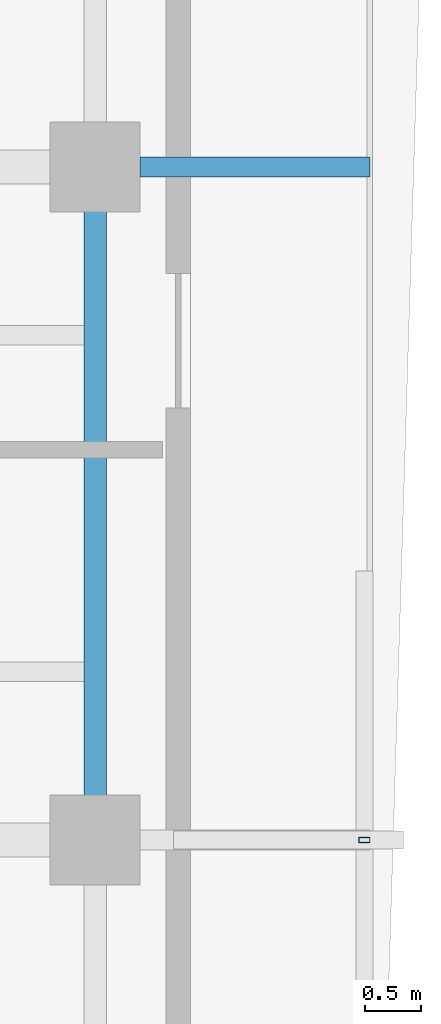
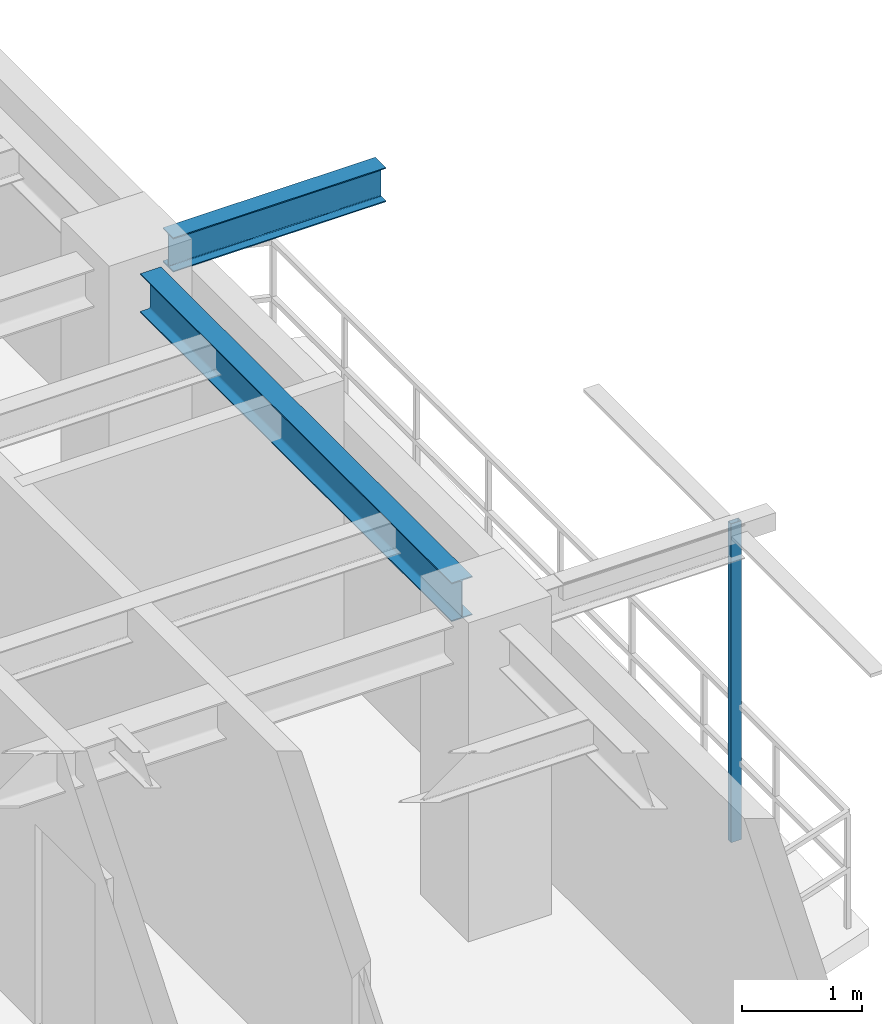
# One storey, part 7 of 16: 2 beams, 1 member.
"""IFC4 building model written with IfcOpenShell, lengths in metres."""

from ifc_helpers import new_model, si_unit, direction, frame, origin, origin_2d, place, context, subcontext, project, spatial, hollow_rectangle, i_section, extrude, source, transform, mapped, material, material_profile, profile_set, type_object, element, save


model = new_model("IFC4")

# Units and contexts
model_context = context("Model", 3, precision=1e-05, world=origin(), true_north=direction((0.0, 1.0)))
body_context = subcontext(model_context, "Body", "Model", "MODEL_VIEW")
ifc_project = project(units=[si_unit("LENGTHUNIT", "METRE"), si_unit("AREAUNIT", "SQUARE_METRE"), si_unit("VOLUMEUNIT", "CUBIC_METRE"), si_unit("PLANEANGLEUNIT", "RADIAN"), si_unit("MASSUNIT", "GRAM", prefix="KILO"), si_unit("THERMODYNAMICTEMPERATUREUNIT", "KELVIN"), si_unit("POWERUNIT", "WATT")], contexts=[model_context])

# Site, building, storey
site_placement = place(None, origin())
site = spatial("IfcSite", under=ifc_project, at=site_placement, CompositionType="ELEMENT")
building_placement = place(site_placement, origin())
building = spatial("IfcBuilding", under=site, at=building_placement, Name="Qiaomeng Ring Towers", CompositionType="ELEMENT")
storey_placement = place(building_placement, frame((0.0, 0.0, 197.0)))
storey = spatial("IfcBuildingStorey", under=building, at=storey_placement, Name="L57", CompositionType="ELEMENT", Elevation=197.0)

# Beams
ifc_material_1 = material(Name="Steel Q355B", Category="steel")
ifc_material_profile_1 = material_profile(ifc_material_1, i_section(OverallWidth=0.198974609375, OverallDepth=0.39599609375, WebThickness=0.007080078125, FlangeThickness=0.010986328125, FilletRadius=0.01611328125, at=origin_2d()), Name="HN 396x199x7x11")
ifc_profile_set_1 = profile_set([ifc_material_profile_1], Name="Steel Q355B")
beam_type_1 = type_object("IfcBeamType", Name="STR-BM-HN396", PredefinedType="SPANDREL", material=ifc_profile_set_1)
shared_shape_1 = source(origin(), body_context, "Body", "SweptSolid", [
    extrude(i_section(OverallWidth=0.198974609375, OverallDepth=0.39599609375, WebThickness=0.007080078125, FlangeThickness=0.010986328125, FilletRadius=0.01611328125, at=origin_2d()), origin(), (0.0, 0.0, 1.0), 5.2021484375),
])
beam_1_placement = place(storey_placement, frame((34.949951171875, 20.39892578125, 2.8720703125), z_axis=(0.0, 1.0, 0.0), x_axis=(-1.0, 0.0, 0.0)))
element("IfcBeam", 1, at=beam_1_placement, inside=storey, type_object=beam_type_1, Name="L57 beam STR-SP-L57-T1-E2-E3", PredefinedType="SPANDREL", context=body_context, shape_type="MappedRepresentation", body=[
    mapped(shared_shape_1, transform((0.0, 0.0, 0.0), x_axis=(1.0, 0.0, 0.0), y_axis=(0.0, 1.0, 0.0), z_axis=(0.0, 0.0, 1.0), scale=1.0)),
])
ifc_material_profile_2 = material_profile(ifc_material_1, i_section(OverallWidth=0.175048828125, OverallDepth=0.35009765625, WebThickness=0.007080078125, FlangeThickness=0.010986328125, FilletRadius=0.013916015625, at=origin_2d()), Name="HN 350x175x7x11")
ifc_profile_set_2 = profile_set([ifc_material_profile_2], Name="Steel Q355B")
beam_type_2 = type_object("IfcBeamType", Name="STR-BM-HN350", PredefinedType="JOIST", material=ifc_profile_set_2)
shared_shape_2 = source(origin(), body_context, "Body", "SweptSolid", [
    extrude(i_section(OverallWidth=0.175048828125, OverallDepth=0.35009765625, WebThickness=0.007080078125, FlangeThickness=0.010986328125, FilletRadius=0.013916015625, at=origin_2d()), origin(), (0.0, 0.0, 1.0), 2.05078125),
])
beam_2_placement = place(storey_placement, frame((35.34912109375, 26.0, 2.89501953125), z_axis=(1.0, 0.0, 0.0), x_axis=(0.0, 1.0, 0.0)))
element("IfcBeam", 2, at=beam_2_placement, inside=storey, type_object=beam_type_2, Name="L57 beam STR-BALBM-L57-E3", PredefinedType="JOIST", context=body_context, shape_type="MappedRepresentation", body=[
    mapped(shared_shape_2, transform((0.0, 0.0, 0.0), x_axis=(1.0, 0.0, 0.0), y_axis=(0.0, 1.0, 0.0), z_axis=(0.0, 0.0, 1.0), scale=1.0)),
])

# Member
ifc_material_2 = material(Name="Stainless steel 316", Category="steel")
ifc_material_profile_3 = material_profile(ifc_material_2, hollow_rectangle(XDim=0.050048828125, YDim=0.10009765625, WallThickness=0.00390625, at=origin_2d()), Name="SS TRELLIS 100x50")
ifc_profile_set_3 = profile_set([ifc_material_profile_3], Name="Stainless steel 316")
member_type = type_object("IfcMemberType", Name="ARC-TR-POST2", PredefinedType="STUD", material=ifc_profile_set_3)
shared_shape_3 = source(origin(), body_context, "Body", "SweptSolid", [
    extrude(hollow_rectangle(XDim=0.050048828125, YDim=0.10009765625, WallThickness=0.00390625, at=origin_2d()), origin(), (0.0, 0.0, 1.0), 3.25),
])
member_placement = place(storey_placement, frame((37.35009765625, 20.0, -0.179931640625), z_axis=(0.0, 0.0, 1.0), x_axis=(0.0, 1.0, 0.0)))
element("IfcMember", 3, at=member_placement, inside=storey, type_object=member_type, Name="L57 Outer Ventilated Trellis Post E", PredefinedType="STUD", context=body_context, shape_type="MappedRepresentation", body=[
    mapped(shared_shape_3, transform((0.0, 0.0, 0.0), x_axis=(1.0, 0.0, 0.0), y_axis=(0.0, 1.0, 0.0), z_axis=(0.0, 0.0, 1.0), scale=1.0)),
])

save(model, "model.ifc")
